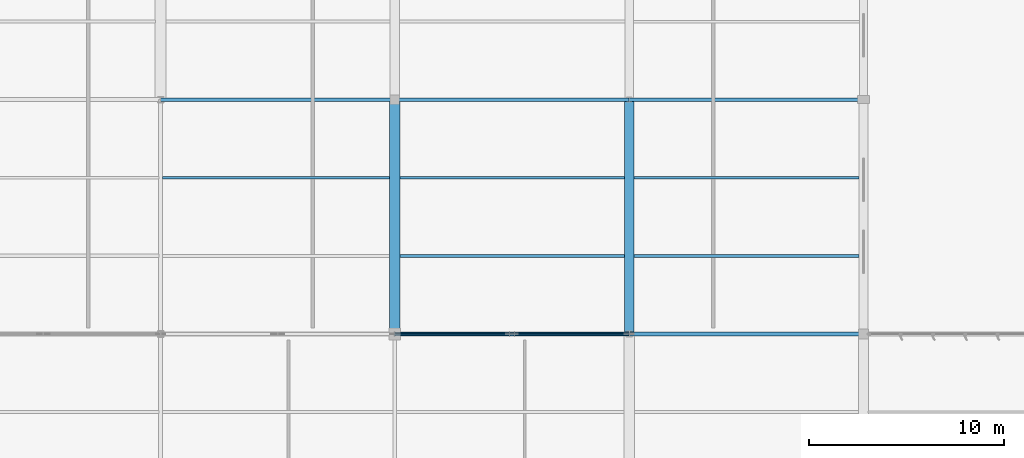
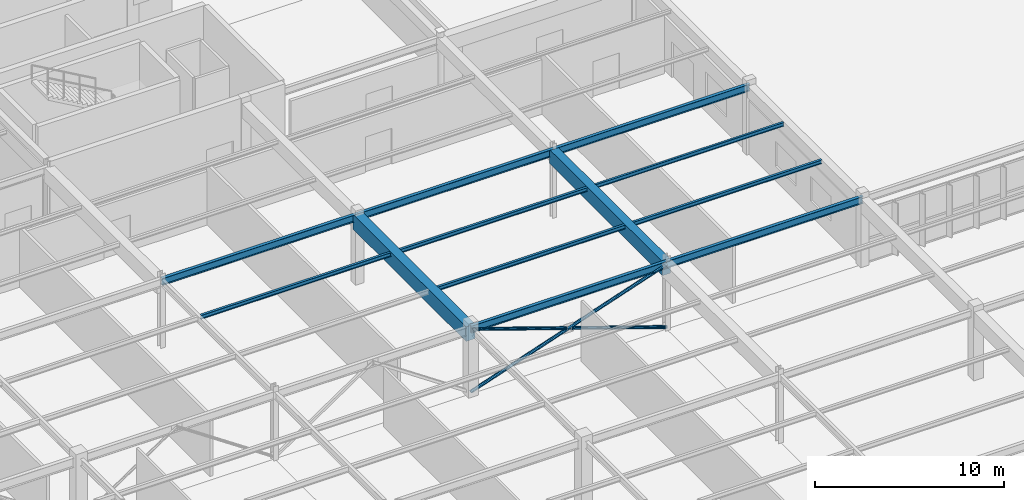
# One storey, part 70 of 199: 12 beams, 3 members.
"""IFC4 building model written with IfcOpenShell, lengths in metres."""

from ifc_helpers import new_model, si_unit, direction, frame, origin, origin_2d, place, context, subcontext, project, spatial, rectangle, hollow_circle, i_section, extrude, material, material_profile, profile_set, type_object, element, save


model = new_model("IFC4")

# Units and contexts
model_context = context("Model", 3, precision=1e-05, world=origin(), true_north=direction((0.0, 1.0)))
body_context = subcontext(model_context, "Body", "Model", "MODEL_VIEW")
ifc_project = project(units=[si_unit("LENGTHUNIT", "METRE"), si_unit("AREAUNIT", "SQUARE_METRE"), si_unit("VOLUMEUNIT", "CUBIC_METRE"), si_unit("PLANEANGLEUNIT", "RADIAN"), si_unit("MASSUNIT", "GRAM", prefix="KILO")], contexts=[model_context])

# Site, building, storey
site_placement = place(None, origin())
site = spatial("IfcSite", under=ifc_project, at=site_placement, CompositionType="ELEMENT")
building_placement = place(site_placement, origin())
building = spatial("IfcBuilding", under=site, at=building_placement, Name="Tarnwether General Hospital", CompositionType="ELEMENT")
storey_placement = place(building_placement, origin())
storey = spatial("IfcBuildingStorey", under=building, at=storey_placement, Name="L00", CompositionType="ELEMENT", Elevation=0.0)

# Beams
ifc_material_1 = material(Name="Steel Grade 350 (350 MPa)", Category="steel")
ifc_material_profile_1 = material_profile(ifc_material_1, i_section(OverallWidth=0.19091796875, OverallDepth=0.4599609375, WebThickness=0.010009765625, FlangeThickness=0.01611328125, at=origin_2d()), Name="460UB82.1")
ifc_profile_set_1 = profile_set([ifc_material_profile_1], Name="Steel Grade 350 (350 MPa)")
beam_type_1 = type_object("IfcBeamType", Name="BM-G08", PredefinedType="BEAM", material=ifc_profile_set_1)
for number, where, z_axis, x_axis, name in (
    (1, (24.0, 57.60009765625, 4.215087890625), (1.0, 0.0, 0.0), (0.0, 1.0, 0.0), "Primary Girder BMG-L00-2400_5760-3600_5760-0635"),
    (2, (36.0, 45.60009765625, 4.215087890625), (1.0, 0.0, 0.0), (0.0, 1.0, 0.0), "Primary Girder BMG-L00-3600_4560-4800_4560-0656"),
):
    element("IfcBeam", number, at=place(storey_placement, frame(where, z_axis=z_axis, x_axis=x_axis)), inside=storey, type_object=beam_type_1, Name=name, PredefinedType="BEAM", context=body_context, shape_type="SweptSolid", body=[
        extrude(i_section(OverallWidth=0.19091796875, OverallDepth=0.4599609375, WebThickness=0.010009765625, FlangeThickness=0.01611328125, at=origin_2d()), origin(), (0.0, 0.0, 1.0), 12.0),
    ])
ifc_material_2 = material(Name="Steel Grade 350 (350 MPa)", Category="steel")
ifc_material_profile_2 = material_profile(ifc_material_2, i_section(OverallWidth=0.18994140625, OverallDepth=0.45703125, WebThickness=0.009033203125, FlangeThickness=0.014404296875, at=origin_2d()), Name="460UB74.6")
ifc_profile_set_2 = profile_set([ifc_material_profile_2], Name="Steel Grade 350 (350 MPa)")
beam_type_2 = type_object("IfcBeamType", Name="BM-G09", PredefinedType="BEAM", material=ifc_profile_set_2)
for number, where, z_axis, x_axis, name in (
    (3, (36.0, 57.60009765625, 4.216552734375), (1.0, 0.0, 0.0), (0.0, 1.0, 0.0), "Primary Girder BMG-L00-3600_5760-4800_5760-0658"),
    (4, (48.0, 45.60009765625, 4.216552734375), (1.0, 0.0, 0.0), (0.0, 1.0, 0.0), "Primary Girder BMG-L00-4800_4560-6000_4560-0677"),
):
    element("IfcBeam", number, at=place(storey_placement, frame(where, z_axis=z_axis, x_axis=x_axis)), inside=storey, type_object=beam_type_2, Name=name, PredefinedType="BEAM", context=body_context, shape_type="SweptSolid", body=[
        extrude(i_section(OverallWidth=0.18994140625, OverallDepth=0.45703125, WebThickness=0.009033203125, FlangeThickness=0.014404296875, at=origin_2d()), origin(), (0.0, 0.0, 1.0), 12.0),
    ])
ifc_material_3 = material(Name="Steel Grade 350 (350 MPa)", Category="steel")
ifc_material_profile_3 = material_profile(ifc_material_3, i_section(OverallWidth=0.18994140625, OverallDepth=0.4541015625, WebThickness=0.008544921875, FlangeThickness=0.0126953125, at=origin_2d()), Name="460UB67.1")
ifc_profile_set_3 = profile_set([ifc_material_profile_3], Name="Steel Grade 350 (350 MPa)")
beam_type_3 = type_object("IfcBeamType", Name="BM-G10", PredefinedType="BEAM", material=ifc_profile_set_3)
beam_1_placement = place(storey_placement, frame((48.0, 57.60009765625, 4.218017578125), z_axis=(1.0, 0.0, 0.0), x_axis=(0.0, 1.0, 0.0)))
element("IfcBeam", 5, at=beam_1_placement, inside=storey, type_object=beam_type_3, Name="Primary Girder BMG-L00-4800_5760-6000_5760-0679", PredefinedType="BEAM", context=body_context, shape_type="SweptSolid", body=[
    extrude(i_section(OverallWidth=0.18994140625, OverallDepth=0.4541015625, WebThickness=0.008544921875, FlangeThickness=0.0126953125, at=origin_2d()), origin(), (0.0, 0.0, 1.0), 12.0),
])
ifc_material_4 = material(Name="Concrete 40 MPa", Category="concrete")
ifc_material_profile_4 = material_profile(ifc_material_4, rectangle(XDim=0.550048828125, YDim=0.949951171875, at=origin_2d()), Name="RC-BM-550x950")
ifc_profile_set_4 = profile_set([ifc_material_profile_4], Name="Concrete 40 MPa")
beam_type_4 = type_object("IfcBeamType", Name="BM-G11", PredefinedType="BEAM", material=ifc_profile_set_4)
beam_2_placement = place(storey_placement, frame((36.0, 45.60009765625, 3.969970703125), z_axis=(0.0, 1.0, 0.0), x_axis=(-1.0, 0.0, 0.0)))
element("IfcBeam", 6, at=beam_2_placement, inside=storey, type_object=beam_type_4, Name="Primary Girder BMG-L00-3600_4560-3600_5760-0657", PredefinedType="BEAM", context=body_context, shape_type="SweptSolid", body=[
    extrude(rectangle(XDim=0.550048828125, YDim=0.949951171875, at=origin_2d()), origin(), (0.0, 0.0, 1.0), 12.0),
])
ifc_material_5 = material(Name="Concrete 40 MPa", Category="concrete")
ifc_material_profile_5 = material_profile(ifc_material_5, rectangle(XDim=0.5, YDim=0.89990234375, at=origin_2d()), Name="RC-BM-500x900")
ifc_profile_set_5 = profile_set([ifc_material_profile_5], Name="Concrete 40 MPa")
beam_type_5 = type_object("IfcBeamType", Name="BM-G12", PredefinedType="BEAM", material=ifc_profile_set_5)
beam_3_placement = place(storey_placement, frame((48.0, 45.60009765625, 3.9951171875), z_axis=(0.0, 1.0, 0.0), x_axis=(-1.0, 0.0, 0.0)))
element("IfcBeam", 7, at=beam_3_placement, inside=storey, type_object=beam_type_5, Name="Primary Girder BMG-L00-4800_4560-4800_5760-0678", PredefinedType="BEAM", context=body_context, shape_type="SweptSolid", body=[
    extrude(rectangle(XDim=0.5, YDim=0.89990234375, at=origin_2d()), origin(), (0.0, 0.0, 1.0), 12.0),
])
ifc_material_6 = material(Name="Steel Grade 350 (350 MPa)", Category="steel")
ifc_material_profile_6 = material_profile(ifc_material_6, i_section(OverallWidth=0.14599609375, OverallDepth=0.256103515625, WebThickness=0.00634765625, FlangeThickness=0.010986328125, at=origin_2d()), Name="250UB37.3")
ifc_profile_set_6 = profile_set([ifc_material_profile_6], Name="Steel Grade 350 (350 MPa)")
beam_type_6 = type_object("IfcBeamType", Name="BM-J09", PredefinedType="JOIST", material=ifc_profile_set_6)
beam_4_placement = place(storey_placement, frame((24.089111328125, 53.60009765625, 4.31689453125), z_axis=(1.0, 0.0, 0.0), x_axis=(0.0, 1.0, 0.0)))
element("IfcBeam", 8, at=beam_4_placement, inside=storey, type_object=beam_type_6, Name="Composite Floor Joist BMG-L00-2409_5360-3573_5360-0916", PredefinedType="JOIST", context=body_context, shape_type="SweptSolid", body=[
    extrude(i_section(OverallWidth=0.14599609375, OverallDepth=0.256103515625, WebThickness=0.00634765625, FlangeThickness=0.010986328125, at=origin_2d()), origin(), (0.0, 0.0, 1.0), 11.641845703125),
])
beam_5_placement = place(storey_placement, frame((36.26904296875, 49.60009765625, 4.31689453125), z_axis=(1.0, 0.0, 0.0), x_axis=(0.0, 1.0, 0.0)))
element("IfcBeam", 9, at=beam_5_placement, inside=storey, type_object=beam_type_6, Name="Composite Floor Joist BMG-L00-3627_4960-4776_4960-0933", PredefinedType="JOIST", context=body_context, shape_type="SweptSolid", body=[
    extrude(i_section(OverallWidth=0.14599609375, OverallDepth=0.256103515625, WebThickness=0.00634765625, FlangeThickness=0.010986328125, at=origin_2d()), origin(), (0.0, 0.0, 1.0), 11.487060546875),
])
ifc_material_7 = material(Name="Steel Grade 350 (350 MPa)", Category="steel")
ifc_material_profile_7 = material_profile(ifc_material_7, i_section(OverallWidth=0.14599609375, OverallDepth=0.251953125, WebThickness=0.006103515625, FlangeThickness=0.008544921875, at=origin_2d()), Name="250UB31.4")
ifc_profile_set_7 = profile_set([ifc_material_profile_7], Name="Steel Grade 350 (350 MPa)")
beam_type_7 = type_object("IfcBeamType", Name="BM-J10", PredefinedType="JOIST", material=ifc_profile_set_7)
beam_6_placement = place(storey_placement, frame((36.26904296875, 53.60009765625, 4.319091796875), z_axis=(1.0, 0.0, 0.0), x_axis=(0.0, 1.0, 0.0)))
element("IfcBeam", 10, at=beam_6_placement, inside=storey, type_object=beam_type_7, Name="Composite Floor Joist BMG-L00-3627_5360-4776_5360-0934", PredefinedType="JOIST", context=body_context, shape_type="SweptSolid", body=[
    extrude(i_section(OverallWidth=0.14599609375, OverallDepth=0.251953125, WebThickness=0.006103515625, FlangeThickness=0.008544921875, at=origin_2d()), origin(), (0.0, 0.0, 1.0), 11.487060546875),
])
beam_7_placement = place(storey_placement, frame((48.243896484375, 49.60009765625, 4.319091796875), z_axis=(1.0, 0.0, 0.0), x_axis=(0.0, 1.0, 0.0)))
element("IfcBeam", 11, at=beam_7_placement, inside=storey, type_object=beam_type_7, Name="Composite Floor Joist BMG-L00-4824_4960-5978_4960-0951", PredefinedType="JOIST", context=body_context, shape_type="SweptSolid", body=[
    extrude(i_section(OverallWidth=0.14599609375, OverallDepth=0.251953125, WebThickness=0.006103515625, FlangeThickness=0.008544921875, at=origin_2d()), origin(), (0.0, 0.0, 1.0), 11.537109375),
])
ifc_material_8 = material(Name="Steel Grade 350 (350 MPa)", Category="steel")
ifc_material_profile_8 = material_profile(ifc_material_8, i_section(OverallWidth=0.1240234375, OverallDepth=0.248046875, WebThickness=0.0048828125, FlangeThickness=0.008056640625, at=origin_2d()), Name="250UB25.7")
ifc_profile_set_8 = profile_set([ifc_material_profile_8], Name="Steel Grade 350 (350 MPa)")
beam_type_8 = type_object("IfcBeamType", Name="BM-J11", PredefinedType="JOIST", material=ifc_profile_set_8)
beam_8_placement = place(storey_placement, frame((48.243896484375, 53.60009765625, 4.321044921875), z_axis=(1.0, 0.0, 0.0), x_axis=(0.0, 1.0, 0.0)))
element("IfcBeam", 12, at=beam_8_placement, inside=storey, type_object=beam_type_8, Name="Composite Floor Joist BMG-L00-4824_5360-5978_5360-0952", PredefinedType="JOIST", context=body_context, shape_type="SweptSolid", body=[
    extrude(i_section(OverallWidth=0.1240234375, OverallDepth=0.248046875, WebThickness=0.0048828125, FlangeThickness=0.008056640625, at=origin_2d()), origin(), (0.0, 0.0, 1.0), 11.537109375),
])

# Members
ifc_material_9 = material(Name="Steel Grade C350L0 (350 MPa)", Category="steel")
ifc_material_profile_9 = material_profile(ifc_material_9, hollow_circle(Radius=0.096923828125, WallThickness=0.008056640625, at=origin_2d()), Name="CHS193.7x8.0")
ifc_profile_set_9 = profile_set([ifc_material_profile_9], Name="Steel Grade C350L0 (350 MPa)")
member_type = type_object("IfcMemberType", Name="MB-BR5", PredefinedType="BRACE", material=ifc_profile_set_9)
member_placement = place(storey_placement, frame((36.0, 45.60009765625, 0.139892578125), z_axis=(0.947128520373, 0.0, 0.320854431005), x_axis=(0.0, 1.0, 0.0)))
element("IfcMember", 13, at=member_placement, inside=storey, type_object=member_type, Name="X-Brace Continuous Diagonal 029", PredefinedType="BRACE", context=body_context, shape_type="SweptSolid", body=[
    extrude(hollow_circle(Radius=0.096923828125, WallThickness=0.008056640625, at=origin_2d()), origin(), (0.0, 0.0, 1.0), 12.669921875),
])
for number, where, z_axis, x_axis, name in (
    (14, (48.0, 45.60009765625, 0.139892578125), (-0.947123135235, 0.0, 0.320870326929), (0.0, -1.0, 0.0), "X-Brace Lower Split Diagonal 030"),
    (15, (41.867431640625, 45.60009765625, 2.21728515625), (-0.947123135235, 0.0, 0.320870326929), (0.0, -1.0, 0.0), "X-Brace Upper Split Diagonal 031"),
):
    element("IfcMember", number, at=place(storey_placement, frame(where, z_axis=z_axis, x_axis=x_axis)), inside=storey, type_object=member_type, Name=name, PredefinedType="BRACE", context=body_context, shape_type="SweptSolid", body=[
        extrude(hollow_circle(Radius=0.096923828125, WallThickness=0.008056640625, at=origin_2d()), origin(), (0.0, 0.0, 1.0), 6.195068359375),
    ])

save(model, "model.ifc")
